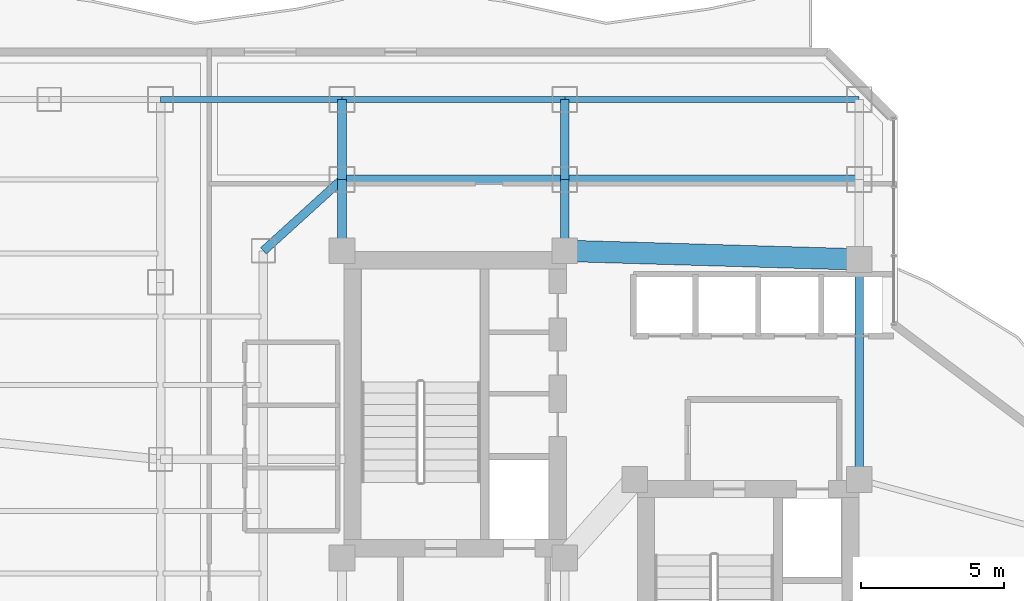
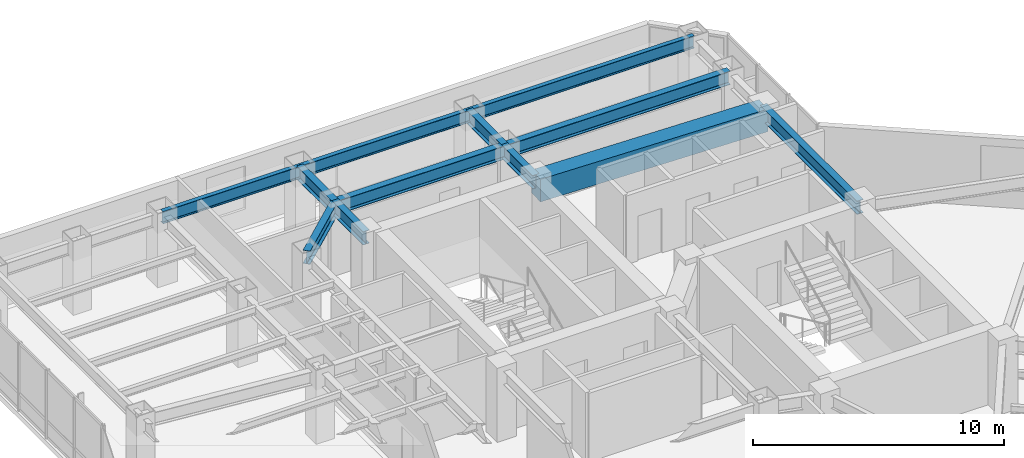
# One storey, part 18 of 29: 12 beams.
"""IFC4 building model written with IfcOpenShell, lengths in metres."""

from ifc_helpers import new_model, si_unit, direction, frame, origin, origin_2d, place, context, subcontext, project, spatial, rectangle, i_section, extrude, material, material_profile, profile_set, type_object, element, save


model = new_model("IFC4")

# Units and contexts
model_context = context("Model", 3, precision=1e-05, world=origin(), true_north=direction((0.0, 1.0)))
body_context = subcontext(model_context, "Body", "Model", "MODEL_VIEW")
ifc_project = project(units=[si_unit("LENGTHUNIT", "METRE"), si_unit("AREAUNIT", "SQUARE_METRE"), si_unit("VOLUMEUNIT", "CUBIC_METRE"), si_unit("PLANEANGLEUNIT", "RADIAN"), si_unit("MASSUNIT", "GRAM", prefix="KILO")], contexts=[model_context])

# Site, building, storey
site_placement = place(None, origin())
site = spatial("IfcSite", under=ifc_project, at=site_placement, CompositionType="ELEMENT")
building_placement = place(site_placement, origin())
building = spatial("IfcBuilding", under=site, at=building_placement, Name="Hatsunagi Terrace Concourse", CompositionType="ELEMENT")
storey_placement = place(building_placement, frame((0.0, 0.0, 126.449951171875)))
storey = spatial("IfcBuildingStorey", under=building, at=storey_placement, Name="L33", CompositionType="ELEMENT", Elevation=126.449951171875)

# Beams
ifc_material_1 = material(Name="Concrete Fc48", Category="concrete")
ifc_material_profile_1 = material_profile(ifc_material_1, rectangle(XDim=0.75, YDim=1.10009765625, at=origin_2d()), Name="RC-750x1100")
ifc_profile_set_1 = profile_set([ifc_material_profile_1], Name="Concrete Fc48")
beam_type_1 = type_object("IfcBeamType", Name="CoreCouplingBeam_RC_750x1100", PredefinedType="BEAM", material=ifc_profile_set_1)
beam_1_placement = place(storey_placement, frame((33.35009765625, 43.300048828125, 2.800048828125), z_axis=(0.999575947545, -0.029119153303, 0.0), x_axis=(0.029119153303, 0.999575947545, 0.0)))
element("IfcBeam", 1, at=beam_1_placement, inside=storey, type_object=beam_type_1, Name="Beam CB-02 CB-L33-2", PredefinedType="BEAM", context=body_context, shape_type="SweptSolid", body=[
    extrude(rectangle(XDim=0.75, YDim=1.10009765625, at=origin_2d()), origin(), (0.0, 0.0, 1.0), 10.30419921875),
])
ifc_material_2 = material(Name="Steel SN490B", Category="steel")
ifc_material_profile_2 = material_profile(ifc_material_2, i_section(OverallWidth=0.300048828125, OverallDepth=0.64990234375, WebThickness=0.012939453125, FlangeThickness=0.02197265625, FilletRadius=0.01806640625, at=origin_2d()), Name="H-650x300x13x22")
ifc_profile_set_2 = profile_set([ifc_material_profile_2], Name="Steel SN490B")
beam_type_2 = type_object("IfcBeamType", Name="OfficeLowGirder_H_650x300", PredefinedType="BEAM", material=ifc_profile_set_2)
beam_2_placement = place(storey_placement, frame((43.64990234375, 35.300048828125, 3.025146484375), z_axis=(0.0, 1.0, 0.0), x_axis=(-1.0, 0.0, 0.0)))
element("IfcBeam", 2, at=beam_2_placement, inside=storey, type_object=beam_type_2, Name="Beam G-05 BM-L33-CBK3", PredefinedType="BEAM", context=body_context, shape_type="SweptSolid", body=[
    extrude(i_section(OverallWidth=0.300048828125, OverallDepth=0.64990234375, WebThickness=0.012939453125, FlangeThickness=0.02197265625, FilletRadius=0.01806640625, at=origin_2d()), origin(), (0.0, 0.0, 1.0), 7.699951171875),
])
for number, where, z_axis, x_axis, name in (
    (3, (25.550048828125, 43.300048828125, 3.025146484375), (0.0, 1.0, 0.0), (-1.0, 0.0, 0.0), "Beam G-05 BM-L33-CN1"),
    (4, (33.35009765625, 43.300048828125, 3.025146484375), (0.0, 1.0, 0.0), (-1.0, 0.0, 0.0), "Beam G-05 BM-L33-CN2"),
):
    element("IfcBeam", number, at=place(storey_placement, frame(where, z_axis=z_axis, x_axis=x_axis)), inside=storey, type_object=beam_type_2, Name=name, PredefinedType="BEAM", context=body_context, shape_type="SweptSolid", body=[
        extrude(i_section(OverallWidth=0.300048828125, OverallDepth=0.64990234375, WebThickness=0.012939453125, FlangeThickness=0.02197265625, FilletRadius=0.01806640625, at=origin_2d()), origin(), (0.0, 0.0, 1.0), 2.5),
    ])
beam_3_placement = place(storey_placement, frame((25.550048828125, 45.800048828125, 3.025146484375), z_axis=(1.0, 0.0, 0.0), x_axis=(0.0, 1.0, 0.0)))
element("IfcBeam", 5, at=beam_3_placement, inside=storey, type_object=beam_type_2, Name="Beam G-05 BM-L33-CNEW1", PredefinedType="BEAM", context=body_context, shape_type="SweptSolid", body=[
    extrude(i_section(OverallWidth=0.300048828125, OverallDepth=0.64990234375, WebThickness=0.012939453125, FlangeThickness=0.02197265625, FilletRadius=0.01806640625, at=origin_2d()), origin(), (0.0, 0.0, 1.0), 7.800048828125),
])
beam_4_placement = place(storey_placement, frame((33.35009765625, 45.800048828125, 3.025146484375), z_axis=(1.0, 0.0, 0.0), x_axis=(0.0, 1.0, 0.0)))
element("IfcBeam", 6, at=beam_4_placement, inside=storey, type_object=beam_type_2, Name="Beam G-05 BM-L33-CNEW2", PredefinedType="BEAM", context=body_context, shape_type="SweptSolid", body=[
    extrude(i_section(OverallWidth=0.300048828125, OverallDepth=0.64990234375, WebThickness=0.012939453125, FlangeThickness=0.02197265625, FilletRadius=0.01806640625, at=origin_2d()), origin(), (0.0, 0.0, 1.0), 10.2998046875),
])
for number, where, z_axis, x_axis, name in (
    (7, (25.550048828125, 45.800048828125, 3.025146484375), (0.0, 1.0, 0.0), (-1.0, 0.0, 0.0), "Beam G-05 BM-L33-KN-WN4"),
    (8, (33.35009765625, 45.800048828125, 3.025146484375), (0.0, 1.0, 0.0), (-1.0, 0.0, 0.0), "Beam G-05 BM-L33-KN-WN5"),
):
    element("IfcBeam", number, at=place(storey_placement, frame(where, z_axis=z_axis, x_axis=x_axis)), inside=storey, type_object=beam_type_2, Name=name, PredefinedType="BEAM", context=body_context, shape_type="SweptSolid", body=[
        extrude(i_section(OverallWidth=0.300048828125, OverallDepth=0.64990234375, WebThickness=0.012939453125, FlangeThickness=0.02197265625, FilletRadius=0.01806640625, at=origin_2d()), origin(), (0.0, 0.0, 1.0), 2.800048828125),
    ])
beam_5_placement = place(storey_placement, frame((22.800048828125, 43.300048828125, 3.025146484375), z_axis=(0.739940073396, 0.672672793996, 0.0), x_axis=(-0.672672793996, 0.739940073396, 0.0)))
element("IfcBeam", 9, at=beam_5_placement, inside=storey, type_object=beam_type_2, Name="Beam G-05 BM-L33-CWEW-N", PredefinedType="BEAM", context=body_context, shape_type="SweptSolid", body=[
    extrude(i_section(OverallWidth=0.300048828125, OverallDepth=0.64990234375, WebThickness=0.012939453125, FlangeThickness=0.02197265625, FilletRadius=0.01806640625, at=origin_2d()), origin(), (0.0, 0.0, 1.0), 3.716552734375),
])
ifc_material_3 = material(Name="Steel SN490B", Category="steel")
ifc_material_profile_3 = material_profile(ifc_material_3, i_section(OverallWidth=0.199951171875, OverallDepth=0.60009765625, WebThickness=0.010986328125, FlangeThickness=0.01708984375, FilletRadius=0.01806640625, at=origin_2d()), Name="H-600x200x11x17")
ifc_profile_set_3 = profile_set([ifc_material_profile_3], Name="Steel SN490B")
beam_type_3 = type_object("IfcBeamType", Name="PerimeterSpandrel_H_600x200", PredefinedType="SPANDREL", material=ifc_profile_set_3)
beam_6_placement = place(storey_placement, frame((19.199951171875, 48.60009765625, 3.050048828125), z_axis=(1.0, 0.0, 0.0), x_axis=(0.0, 1.0, 0.0)))
element("IfcBeam", 10, at=beam_6_placement, inside=storey, type_object=beam_type_3, Name="Beam SP-01 BM-L33-WN-19", PredefinedType="SPANDREL", context=body_context, shape_type="SweptSolid", body=[
    extrude(i_section(OverallWidth=0.199951171875, OverallDepth=0.60009765625, WebThickness=0.010986328125, FlangeThickness=0.01708984375, FilletRadius=0.01806640625, at=origin_2d()), origin(), (0.0, 0.0, 1.0), 6.35009765625),
])
beam_7_placement = place(storey_placement, frame((25.550048828125, 48.60009765625, 3.050048828125), z_axis=(1.0, 0.0, 0.0), x_axis=(0.0, 1.0, 0.0)))
element("IfcBeam", 11, at=beam_7_placement, inside=storey, type_object=beam_type_3, Name="Beam SP-01 BM-L33-WN-25", PredefinedType="SPANDREL", context=body_context, shape_type="SweptSolid", body=[
    extrude(i_section(OverallWidth=0.199951171875, OverallDepth=0.60009765625, WebThickness=0.010986328125, FlangeThickness=0.01708984375, FilletRadius=0.01806640625, at=origin_2d()), origin(), (0.0, 0.0, 1.0), 7.800048828125),
])
beam_8_placement = place(storey_placement, frame((33.35009765625, 48.60009765625, 3.050048828125), z_axis=(1.0, 0.0, 0.0), x_axis=(0.0, 1.0, 0.0)))
element("IfcBeam", 12, at=beam_8_placement, inside=storey, type_object=beam_type_3, Name="Beam SP-01 BM-L33-WN-33", PredefinedType="SPANDREL", context=body_context, shape_type="SweptSolid", body=[
    extrude(i_section(OverallWidth=0.199951171875, OverallDepth=0.60009765625, WebThickness=0.010986328125, FlangeThickness=0.01708984375, FilletRadius=0.01806640625, at=origin_2d()), origin(), (0.0, 0.0, 1.0), 10.2998046875),
])

save(model, "model.ifc")
